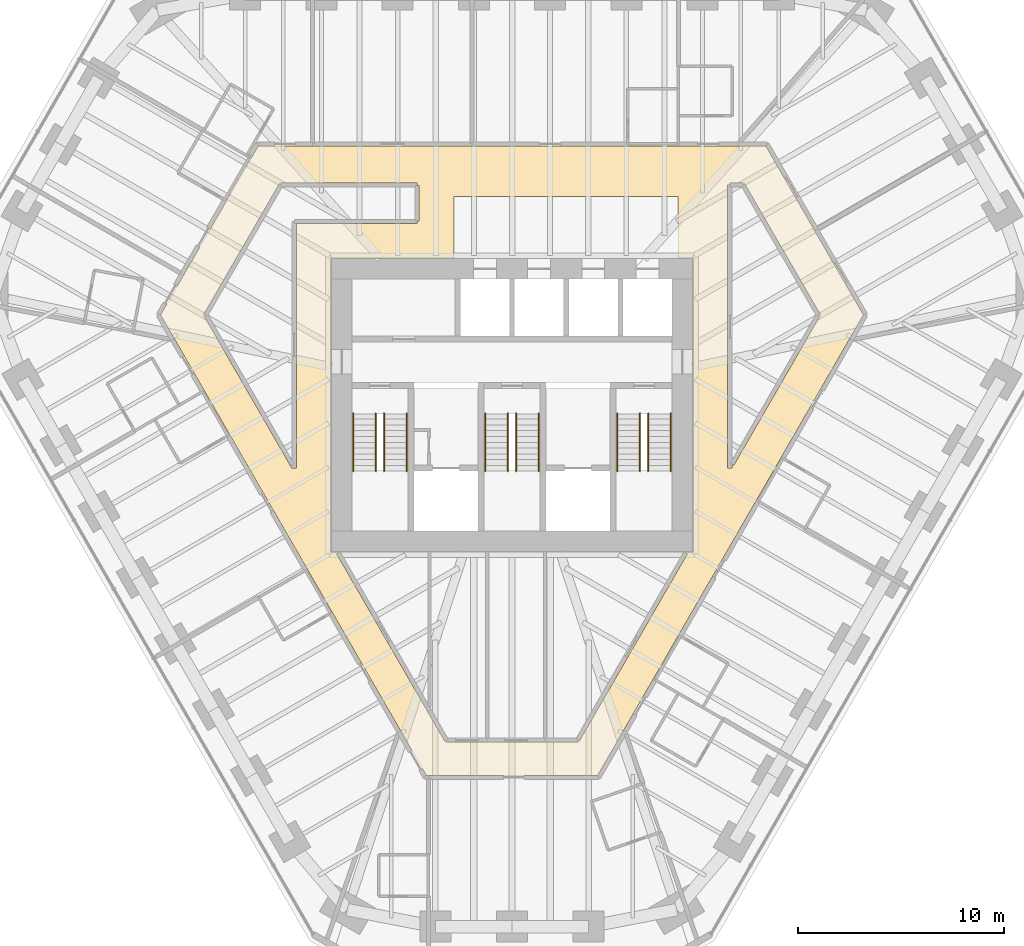
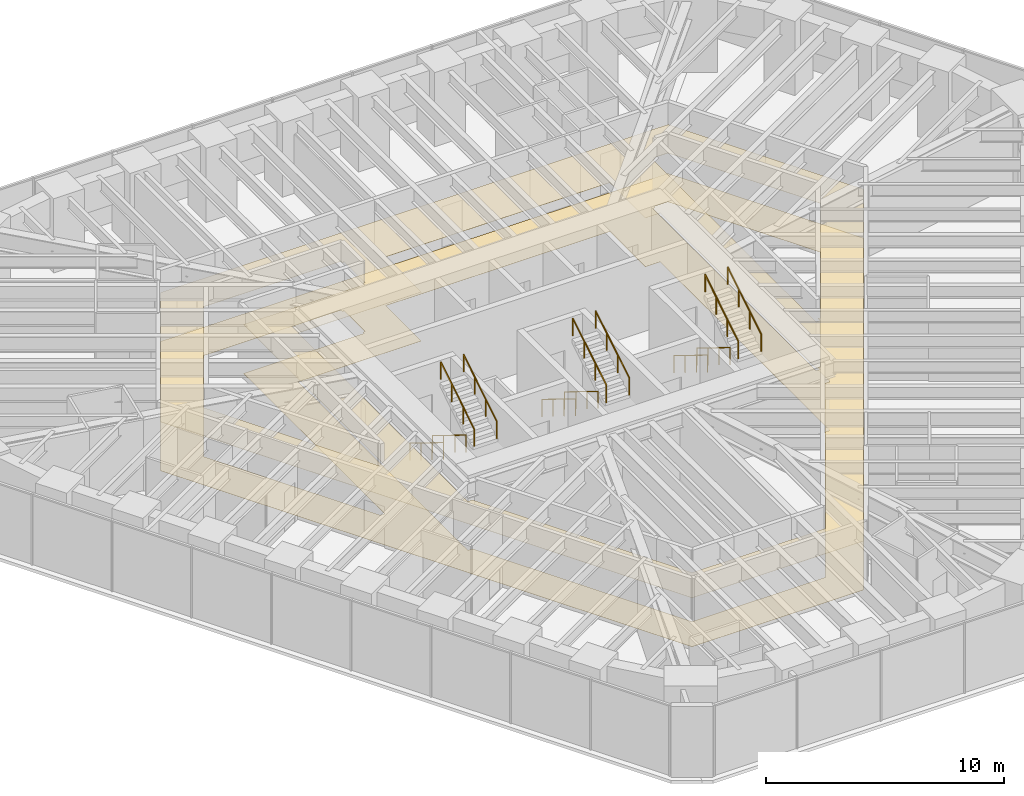
# One storey, part 16 of 16: 12 railings, 2 coverings.
"""IFC4 building model written with IfcOpenShell, lengths in metres."""

from ifc_helpers import new_model, si_unit, direction, frame, origin, origin_2d, place, context, subcontext, project, spatial, polyline, circle, outline, extrude, material, layer, layer_set, type_object, element, save


model = new_model("IFC4")

# Units and contexts
model_context = context("Model", 3, precision=1e-05, world=origin(), true_north=direction((0.0, 1.0)))
body_context = subcontext(model_context, "Body", "Model", "MODEL_VIEW")
ifc_project = project(units=[si_unit("LENGTHUNIT", "METRE"), si_unit("AREAUNIT", "SQUARE_METRE"), si_unit("VOLUMEUNIT", "CUBIC_METRE"), si_unit("PLANEANGLEUNIT", "RADIAN"), si_unit("MASSUNIT", "GRAM", prefix="KILO")], contexts=[model_context])

# Site, building, storey
site_placement = place(None, origin())
site = spatial("IfcSite", under=ifc_project, at=site_placement, CompositionType="ELEMENT")
building_placement = place(site_placement, origin())
building = spatial("IfcBuilding", under=site, at=building_placement, Name="Sandreach Pilgrim Tower", CompositionType="ELEMENT")
storey_placement = place(building_placement, frame((0.0, 0.0, 225.0)))
storey = spatial("IfcBuildingStorey", under=building, at=storey_placement, Name="L56", CompositionType="ELEMENT", Elevation=225.0)

# Coverings
ifc_material_1 = material(Name="Nylon carpet tile on the slab", Category="textile")
ifc_layer_1 = layer(ifc_material_1, 0.008056640625)
ifc_layer_set_1 = layer_set([ifc_layer_1], Name="Carpet tile")
covering_type_1 = type_object("IfcCoveringType", Name="Carpet tile", PredefinedType="FLOORING", material=ifc_layer_set_1)
covering_1_placement = place(storey_placement, origin())
element("IfcCovering", 1, at=covering_1_placement, inside=storey, type_object=covering_type_1, Name="Floor finish 56C Corridor 56", PredefinedType="FLOORING", context=body_context, shape_type="SweptSolid", body=[
    extrude(outline(polyline([(-4.15234375, -17.929931640625), (-17.024658203125, 4.369873046875), (-12.292236328125, 12.56005859375), (12.292236328125, 12.56005859375), (17.0244140625, 4.369873046875), (4.15234375, -17.929931640625), (-4.15234375, -17.929931640625)]), holes=[polyline([(10.449951171875, -3.050048828125), (10.64990234375, -3.050048828125), (10.64990234375, -2.853759765625), (10.74658203125, -2.909423828125), (14.945556640625, 4.3701171875), (11.24755859375, 10.760009765625), (10.56005859375, 10.760009765625), (10.56005859375, 10.66015625), (10.449951171875, 10.659912109375), (10.449951171875, -3.050048828125)]), polyline([(-3.227783203125, -16.330078125), (3.227783203125, -16.330078125), (8.542724609375, -7.1201171875), (8.77001953125, -7.1201171875), (8.77001953125, 7.1201171875), (8.050048828125, 7.1201171875), (8.050048828125, 10.10009765625), (-2.800048828125, 10.10009765625), (-2.800048828125, 7.1201171875), (-8.77001953125, 7.1201171875), (-8.77001953125, -7.1201171875), (-8.542724609375, -7.1201171875), (-3.227783203125, -16.330078125)]), polyline([(-14.945556640625, 4.3701171875), (-10.66552734375, -3.050048828125), (-10.449951171875, -3.050048828125), (-10.449951171875, 8.800048828125), (-4.60009765625, 8.800048828125), (-4.60009765625, 8.909912109375), (-4.5, 8.909912109375), (-4.5, 10.64990234375), (-4.60009765625, 10.64990234375), (-4.60009765625, 10.760009765625), (-11.24755859375, 10.760009765625), (-14.945556640625, 4.3701171875)])]), origin(), (0.0, 0.0, 1.0), 0.008056640625),
])
ifc_material_2 = material(Name="Gypsum board suspended ceiling on a steel grid", Category="steel")
ifc_layer_2 = layer(ifc_material_2, 0.012939453125)
ifc_layer_set_2 = layer_set([ifc_layer_2], Name="Gypsum board suspended ceiling")
covering_type_2 = type_object("IfcCoveringType", Name="Gypsum board suspended ceiling", PredefinedType="CEILING", material=ifc_layer_set_2)
covering_2_placement = place(storey_placement, frame((0.0, 0.0, 2.5)))
element("IfcCovering", 2, at=covering_2_placement, inside=storey, type_object=covering_type_2, Name="Ceiling 56C Corridor 56", PredefinedType="CEILING", context=body_context, shape_type="SweptSolid", body=[
    extrude(outline(polyline([(-4.15234375, -17.929931640625), (-17.024658203125, 4.369873046875), (-12.292236328125, 12.56005859375), (12.292236328125, 12.56005859375), (17.0244140625, 4.369873046875), (4.15234375, -17.929931640625), (-4.15234375, -17.929931640625)]), holes=[polyline([(10.449951171875, -3.050048828125), (10.64990234375, -3.050048828125), (10.64990234375, -2.853759765625), (10.74658203125, -2.909423828125), (14.945556640625, 4.3701171875), (11.24755859375, 10.760009765625), (10.56005859375, 10.760009765625), (10.56005859375, 10.66015625), (10.449951171875, 10.659912109375), (10.449951171875, -3.050048828125)]), polyline([(-3.227783203125, -16.330078125), (3.227783203125, -16.330078125), (8.542724609375, -7.1201171875), (8.77001953125, -7.1201171875), (8.77001953125, 7.1201171875), (8.050048828125, 7.1201171875), (8.050048828125, 10.10009765625), (-2.800048828125, 10.10009765625), (-2.800048828125, 7.1201171875), (-8.77001953125, 7.1201171875), (-8.77001953125, -7.1201171875), (-8.542724609375, -7.1201171875), (-3.227783203125, -16.330078125)]), polyline([(-14.945556640625, 4.3701171875), (-10.66552734375, -3.050048828125), (-10.449951171875, -3.050048828125), (-10.449951171875, 8.800048828125), (-4.60009765625, 8.800048828125), (-4.60009765625, 8.909912109375), (-4.5, 8.909912109375), (-4.5, 10.64990234375), (-4.60009765625, 10.64990234375), (-4.60009765625, 10.760009765625), (-11.24755859375, 10.760009765625), (-14.945556640625, 4.3701171875)])]), origin(), (0.0, 0.0, 1.0), 0.012939453125),
])

# Railings
ifc_material_3 = material(Name="Stainless steel tube", Category="steel")
railing_type = type_object("IfcRailingType", Name="Stair handrail", PredefinedType="HANDRAIL", material=ifc_material_3)
for number, where, name in (
    (3, (-6.60009765625, -0.39990234375, 0.172607421875), "Handrail ST1 L56 flight 1"),
    (4, (-7.699951171875, -0.39990234375, 0.172607421875), "Handrail ST1 L56 flight 1"),
):
    element("IfcRailing", number, at=place(storey_placement, frame(where)), inside=storey, type_object=railing_type, Name=name, PredefinedType="HANDRAIL", context=body_context, shape_type="SweptSolid", body=[
        extrude(circle(Radius=0.02392578125, at=origin_2d()), frame((0.0, 0.0, 0.8759765625), z_axis=(0.0, -0.851089632645, 0.525020415988), x_axis=(1.0, 0.0, 0.0)), (0.0, 0.0, 1.0), 3.2900390625),
        extrude(circle(Radius=0.02099609375, at=origin_2d()), origin(), (0.0, 0.0, 1.0), 0.851806640625),
        extrude(circle(Radius=0.02099609375, at=origin_2d()), frame((0.0, -0.933349609375, 0.57568359375)), (0.0, 0.0, 1.0), 0.851806640625),
        extrude(circle(Radius=0.02099609375, at=origin_2d()), frame((0.0, -1.86669921875, 1.151611328125)), (0.0, 0.0, 1.0), 0.851806640625),
        extrude(circle(Radius=0.02099609375, at=origin_2d()), frame((0.0, -2.800048828125, 1.727294921875)), (0.0, 0.0, 1.0), 0.851806640625),
    ])
for number, where, name in (
    (5, (-6.199951171875, -3.199951171875, 2.07275390625), "Handrail ST1 L56 flight 2"),
    (6, (-5.10009765625, -3.199951171875, 2.07275390625), "Handrail ST1 L56 flight 2"),
):
    element("IfcRailing", number, at=place(storey_placement, frame(where)), inside=storey, type_object=railing_type, Name=name, PredefinedType="HANDRAIL", context=body_context, shape_type="SweptSolid", body=[
        extrude(circle(Radius=0.02392578125, at=origin_2d()), frame((0.0, 0.0, 0.8759765625), z_axis=(0.0, 0.851089632645, 0.525020415988), x_axis=(-1.0, 0.0, 0.0)), (0.0, 0.0, 1.0), 3.2900390625),
        extrude(circle(Radius=0.02099609375, at=origin_2d()), origin(), (0.0, 0.0, 1.0), 0.851806640625),
        extrude(circle(Radius=0.02099609375, at=origin_2d()), frame((0.0, 0.933349609375, 0.57568359375)), (0.0, 0.0, 1.0), 0.851806640625),
        extrude(circle(Radius=0.02099609375, at=origin_2d()), frame((0.0, 1.86669921875, 1.151611328125)), (0.0, 0.0, 1.0), 0.851806640625),
        extrude(circle(Radius=0.02099609375, at=origin_2d()), frame((0.0, 2.800048828125, 1.727294921875)), (0.0, 0.0, 1.0), 0.851806640625),
    ])
for number, where, name in (
    (7, (-0.199951171875, -0.39990234375, 0.172607421875), "Handrail ST3 L56 flight 1"),
    (8, (-1.300048828125, -0.39990234375, 0.172607421875), "Handrail ST3 L56 flight 1"),
):
    element("IfcRailing", number, at=place(storey_placement, frame(where)), inside=storey, type_object=railing_type, Name=name, PredefinedType="HANDRAIL", context=body_context, shape_type="SweptSolid", body=[
        extrude(circle(Radius=0.02392578125, at=origin_2d()), frame((0.0, 0.0, 0.8759765625), z_axis=(0.0, -0.851089632645, 0.525020415988), x_axis=(1.0, 0.0, 0.0)), (0.0, 0.0, 1.0), 3.2900390625),
        extrude(circle(Radius=0.02099609375, at=origin_2d()), origin(), (0.0, 0.0, 1.0), 0.851806640625),
        extrude(circle(Radius=0.02099609375, at=origin_2d()), frame((0.0, -0.933349609375, 0.57568359375)), (0.0, 0.0, 1.0), 0.851806640625),
        extrude(circle(Radius=0.02099609375, at=origin_2d()), frame((0.0, -1.86669921875, 1.151611328125)), (0.0, 0.0, 1.0), 0.851806640625),
        extrude(circle(Radius=0.02099609375, at=origin_2d()), frame((0.0, -2.800048828125, 1.727294921875)), (0.0, 0.0, 1.0), 0.851806640625),
    ])
for number, where, name in (
    (9, (0.199951171875, -3.199951171875, 2.07275390625), "Handrail ST3 L56 flight 2"),
    (10, (1.300048828125, -3.199951171875, 2.07275390625), "Handrail ST3 L56 flight 2"),
):
    element("IfcRailing", number, at=place(storey_placement, frame(where)), inside=storey, type_object=railing_type, Name=name, PredefinedType="HANDRAIL", context=body_context, shape_type="SweptSolid", body=[
        extrude(circle(Radius=0.02392578125, at=origin_2d()), frame((0.0, 0.0, 0.8759765625), z_axis=(0.0, 0.851089632645, 0.525020415988), x_axis=(-1.0, 0.0, 0.0)), (0.0, 0.0, 1.0), 3.2900390625),
        extrude(circle(Radius=0.02099609375, at=origin_2d()), origin(), (0.0, 0.0, 1.0), 0.851806640625),
        extrude(circle(Radius=0.02099609375, at=origin_2d()), frame((0.0, 0.933349609375, 0.57568359375)), (0.0, 0.0, 1.0), 0.851806640625),
        extrude(circle(Radius=0.02099609375, at=origin_2d()), frame((0.0, 1.86669921875, 1.151611328125)), (0.0, 0.0, 1.0), 0.851806640625),
        extrude(circle(Radius=0.02099609375, at=origin_2d()), frame((0.0, 2.800048828125, 1.727294921875)), (0.0, 0.0, 1.0), 0.851806640625),
    ])
for number, where, name in (
    (11, (6.199951171875, -0.39990234375, 0.172607421875), "Handrail ST2 L56 flight 1"),
    (12, (5.10009765625, -0.39990234375, 0.172607421875), "Handrail ST2 L56 flight 1"),
):
    element("IfcRailing", number, at=place(storey_placement, frame(where)), inside=storey, type_object=railing_type, Name=name, PredefinedType="HANDRAIL", context=body_context, shape_type="SweptSolid", body=[
        extrude(circle(Radius=0.02392578125, at=origin_2d()), frame((0.0, 0.0, 0.8759765625), z_axis=(0.0, -0.851089632645, 0.525020415988), x_axis=(1.0, 0.0, 0.0)), (0.0, 0.0, 1.0), 3.2900390625),
        extrude(circle(Radius=0.02099609375, at=origin_2d()), origin(), (0.0, 0.0, 1.0), 0.851806640625),
        extrude(circle(Radius=0.02099609375, at=origin_2d()), frame((0.0, -0.933349609375, 0.57568359375)), (0.0, 0.0, 1.0), 0.851806640625),
        extrude(circle(Radius=0.02099609375, at=origin_2d()), frame((0.0, -1.86669921875, 1.151611328125)), (0.0, 0.0, 1.0), 0.851806640625),
        extrude(circle(Radius=0.02099609375, at=origin_2d()), frame((0.0, -2.800048828125, 1.727294921875)), (0.0, 0.0, 1.0), 0.851806640625),
    ])
for number, where, name in (
    (13, (6.60009765625, -3.199951171875, 2.07275390625), "Handrail ST2 L56 flight 2"),
    (14, (7.699951171875, -3.199951171875, 2.07275390625), "Handrail ST2 L56 flight 2"),
):
    element("IfcRailing", number, at=place(storey_placement, frame(where)), inside=storey, type_object=railing_type, Name=name, PredefinedType="HANDRAIL", context=body_context, shape_type="SweptSolid", body=[
        extrude(circle(Radius=0.02392578125, at=origin_2d()), frame((0.0, 0.0, 0.8759765625), z_axis=(0.0, 0.851089632645, 0.525020415988), x_axis=(-1.0, 0.0, 0.0)), (0.0, 0.0, 1.0), 3.2900390625),
        extrude(circle(Radius=0.02099609375, at=origin_2d()), origin(), (0.0, 0.0, 1.0), 0.851806640625),
        extrude(circle(Radius=0.02099609375, at=origin_2d()), frame((0.0, 0.933349609375, 0.57568359375)), (0.0, 0.0, 1.0), 0.851806640625),
        extrude(circle(Radius=0.02099609375, at=origin_2d()), frame((0.0, 1.86669921875, 1.151611328125)), (0.0, 0.0, 1.0), 0.851806640625),
        extrude(circle(Radius=0.02099609375, at=origin_2d()), frame((0.0, 2.800048828125, 1.727294921875)), (0.0, 0.0, 1.0), 0.851806640625),
    ])

save(model, "model.ifc")
